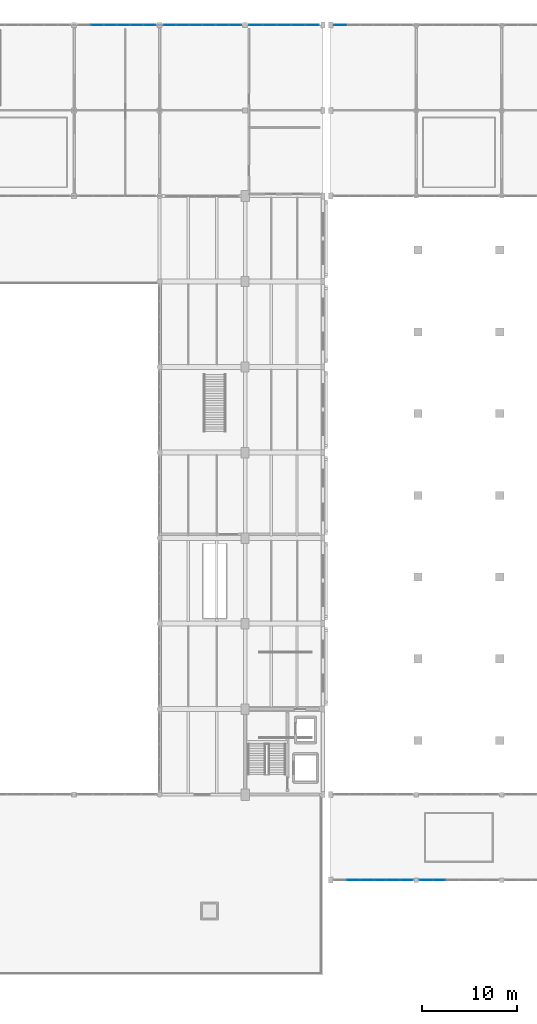
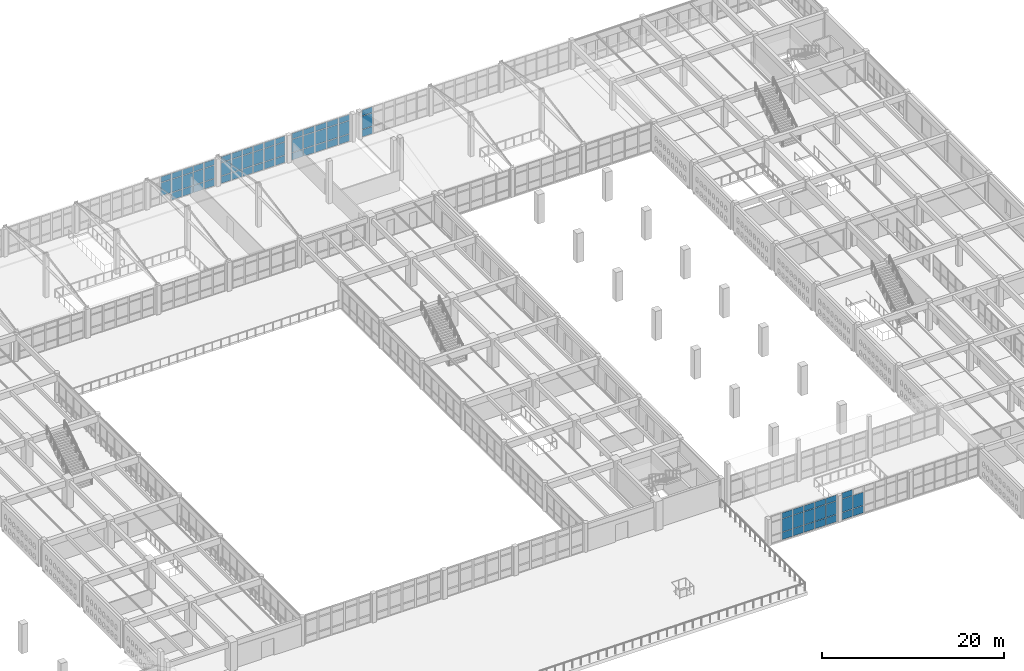
# One storey, part 118 of 156: 70 plates, 6 elements without a shape of their own.
"""IFC4 building model written with IfcOpenShell, lengths in metres."""

import ifcopenshell
import ifcopenshell.guid

model = None  # the IFC model being written
_history = None  # IfcOwnerHistory: only IFC2X3 demands one
_inside = {}  # id of a spatial element -> (the spatial element, [elements in it])
_under = {}  # id of a project, library or spatial element -> (it, [spatial elements below it])
_declared = {}  # id of a project -> (the project, [libraries it declares])
_typed = {}  # id of a type object -> (the type object, [elements of that type])
_made_of = {}  # id of a material, layer set ... -> (it, [elements and type objects made of it])


def new_model(schema):
    """Start an empty IFC model of exactly this schema.

    Asked for "IFC4X3", IfcOpenShell would pick the latest addendum, in which some entities
    have other attributes; the version numbers below select the first issue.
    IFC2X3 requires an IfcOwnerHistory on every rooted entity: one is made here for all.
    """
    global model, _history
    if schema == "IFC4X3":
        model = ifcopenshell.file(schema_version=(4, 3, 0, 0))
    else:
        model = ifcopenshell.file(schema=schema)
    _inside.clear()
    _under.clear()
    _declared.clear()
    _typed.clear()
    _made_of.clear()
    _history = None
    if model.schema == "IFC2X3":
        org = make("IfcOrganization", Name="unknown")
        user = make(
            "IfcPersonAndOrganization",
            ThePerson=make("IfcPerson", FamilyName="unknown"),
            TheOrganization=org,
        )
        app = make(
            "IfcApplication",
            ApplicationDeveloper=org,
            Version="unknown",
            ApplicationFullName="unknown",
            ApplicationIdentifier="unknown",
        )
        _history = make(
            "IfcOwnerHistory",
            OwningUser=user,
            OwningApplication=app,
            ChangeAction="ADDED",
            CreationDate=0,
        )
    return model


def make(cls, **values):
    """One entity of the class cls with the attributes given. An attribute that is None is left unset."""
    return model.create_entity(
        cls, **{name: value for name, value in values.items() if value is not None}
    )


def rooted(cls, **values):
    """An entity with a GlobalId (a new one), such as an element, a storey or a relation."""
    return make(cls, GlobalId=ifcopenshell.guid.new(), OwnerHistory=_history, **values)


def si_unit(unit_type, name, prefix=None):
    """IfcSIUnit, for example si_unit("LENGTHUNIT", "METRE", prefix="MILLI")."""
    return make("IfcSIUnit", UnitType=unit_type, Prefix=prefix, Name=name)


def assignment(units):
    """IfcUnitAssignment: the units of a project."""
    return None if units is None else make("IfcUnitAssignment", Units=units)


def point(xyz):
    """IfcCartesianPoint."""
    return None if xyz is None else make("IfcCartesianPoint", Coordinates=xyz)


def direction(xyz):
    """IfcDirection."""
    return None if xyz is None else make("IfcDirection", DirectionRatios=xyz)


def frame(location, z_axis=None, x_axis=None):
    """IfcAxis2Placement3D, a coordinate frame: its origin and axes. An axis left out is left unset."""
    return make(
        "IfcAxis2Placement3D",
        Location=point(location),
        Axis=direction(z_axis),
        RefDirection=direction(x_axis),
    )


def frame_2d(location, x_axis=None):
    """IfcAxis2Placement2D, a coordinate frame in the plane: its origin and x axis."""
    return make(
        "IfcAxis2Placement2D", Location=point(location), RefDirection=direction(x_axis)
    )


def origin():
    """The frame at (0, 0, 0) with its axes left unset."""
    return frame((0.0, 0.0, 0.0))


def origin_2d():
    """The frame at (0, 0) in the plane with its x axis left unset."""
    return frame_2d((0.0, 0.0))


def place(relative_to, where):
    """IfcLocalPlacement: puts the frame where relative to a parent placement (None: the world)."""
    return make(
        "IfcLocalPlacement", PlacementRelTo=relative_to, RelativePlacement=where
    )


def context(
    kind, dimensions, precision=None, world=None, true_north=None, identifier=None
):
    """IfcGeometricRepresentationContext, for example the 3D "Model" context."""
    return make(
        "IfcGeometricRepresentationContext",
        ContextIdentifier=identifier,
        ContextType=kind,
        CoordinateSpaceDimension=dimensions,
        Precision=precision,
        WorldCoordinateSystem=world,
        TrueNorth=true_north,
    )


def subcontext(parent, identifier, kind, view, scale=None):
    """IfcGeometricRepresentationSubContext, for example "Body" below "Model"."""
    return make(
        "IfcGeometricRepresentationSubContext",
        ContextIdentifier=identifier,
        ContextType=kind,
        ParentContext=parent,
        TargetScale=scale,
        TargetView=view,
    )


def project(units=None, contexts=None):
    """IfcProject with its units and contexts."""
    return rooted(
        "IfcProject",
        Name="project",
        RepresentationContexts=contexts,
        UnitsInContext=assignment(units),
    )


def spatial(cls, under=None, at=None, **own):
    """A site, building, storey or space (cls), placed at a placement, below another one or the project."""
    s = rooted(cls, ObjectPlacement=at, **own)
    if under is not None:
        _under.setdefault(under.id(), (under, []))[1].append(s)
    return s


def profile(cls, at=None, kind="AREA", **sizes):
    """A parametric profile (cls). Its sizes go by their IFC names, for example OverallWidth=200.0."""
    return make(cls, ProfileType=kind, Position=at, **sizes)


def rectangle(**sizes):
    """IfcRectangleProfileDef."""
    return profile("IfcRectangleProfileDef", **sizes)


def extrude(swept, where, along, depth):
    """IfcExtrudedAreaSolid: the profile swept, set in the frame where, extruded along a direction by depth."""
    return make(
        "IfcExtrudedAreaSolid",
        SweptArea=swept,
        Position=where,
        ExtrudedDirection=direction(along),
        Depth=depth,
    )


def shape(context_of_items, identifier, shape_type, items):
    """IfcShapeRepresentation: the items that make up one representation, for example the "Body"."""
    return make(
        "IfcShapeRepresentation",
        ContextOfItems=context_of_items,
        RepresentationIdentifier=identifier,
        RepresentationType=shape_type,
        Items=items,
    )


def material(Name=None, Category=None):
    """IfcMaterial."""
    return make("IfcMaterial", Name=Name, Category=Category)


def layer(
    of_material, thickness, ventilated=None, Name=None, Category=None, Priority=None
):
    """IfcMaterialLayer: one layer of a wall or slab, of a material (None: an air gap)."""
    return make(
        "IfcMaterialLayer",
        Material=of_material,
        LayerThickness=thickness,
        IsVentilated=ventilated,
        Name=Name,
        Category=Category,
        Priority=Priority,
    )


def layer_set(layers, Name=None):
    """IfcMaterialLayerSet."""
    return make("IfcMaterialLayerSet", MaterialLayers=layers, LayerSetName=Name)


def made_of(thing, what):
    """Note that an element or type object is made of a material, layer set ...; save() writes the relation."""
    if what is not None:
        _made_of.setdefault(what.id(), (what, []))[1].append(thing)
    return thing


def type_object(cls, material=None, **own):
    """A type object (cls), such as IfcWallType, which elements share."""
    return made_of(rooted(cls, **own), material)


def element(
    cls,
    number,
    at=None,
    inside=None,
    cuts=None,
    type_object=None,
    material=None,
    context=None,
    identifier="Body",
    shape_type=None,
    held_by="IfcProductDefinitionShape",
    body=None,
    shapes=None,
    **own,
):
    """One element of the class cls, such as IfcWall. Its Tag is "e" and its number.

    at: its placement. inside: the storey or other place that contains it. cuts: it is an
    opening in that element (IfcRelVoidsElement). A single representation is given by context,
    identifier, shape_type and body (its items); several are given by shapes. held_by: the class
    of the entity that holds the representations. save() writes the other relations.
    """
    e = rooted(cls, Tag="e%d" % number, ObjectPlacement=at, **own)
    if body is not None:
        shapes = [shape(context, identifier, shape_type, body)]
    if shapes is not None:
        e.Representation = make(held_by, Representations=shapes)
    if inside is not None:
        _inside.setdefault(inside.id(), (inside, []))[1].append(e)
    if cuts is not None:
        rooted(
            "IfcRelVoidsElement", RelatingBuildingElement=cuts, RelatedOpeningElement=e
        )
    if type_object is not None:
        _typed.setdefault(type_object.id(), (type_object, []))[1].append(e)
    return made_of(e, material)


def aggregate(whole, parts):
    """IfcRelAggregates: a whole, such as a stair, and the parts it consists of."""
    return rooted("IfcRelAggregates", RelatingObject=whole, RelatedObjects=parts)


def save(model, path):
    """Write the relations noted so far, then the file.

    IfcRelAggregates (storeys below a building ...), IfcRelContainedInSpatialStructure (elements
    in a storey), IfcRelDefinesByType, IfcRelAssociatesMaterial and IfcRelDeclares: one each for
    every whole, place, type object, material and project.
    """
    for whole, parts in _under.values():
        aggregate(whole, parts)
    for where, things in _inside.values():
        rooted(
            "IfcRelContainedInSpatialStructure",
            RelatedElements=things,
            RelatingStructure=where,
        )
    for kind, things in _typed.values():
        rooted("IfcRelDefinesByType", RelatedObjects=things, RelatingType=kind)
    for what, things in _made_of.values():
        rooted("IfcRelAssociatesMaterial", RelatedObjects=things, RelatingMaterial=what)
    for by, libraries in _declared.values():
        rooted("IfcRelDeclares", RelatingContext=by, RelatedDefinitions=libraries)
    model.write(path)


model = new_model("IFC4")

# Units and contexts
model_context = context("Model", 3, precision=1e-05, world=origin(), true_north=direction((0.0, 1.0)))
body_context = subcontext(model_context, "Body", "Model", "MODEL_VIEW")
ifc_project = project(units=[si_unit("LENGTHUNIT", "METRE"), si_unit("AREAUNIT", "SQUARE_METRE"), si_unit("VOLUMEUNIT", "CUBIC_METRE"), si_unit("PLANEANGLEUNIT", "RADIAN"), si_unit("MASSUNIT", "GRAM", prefix="KILO")], contexts=[model_context])

# Site, building, storey
site_placement = place(None, origin())
site = spatial("IfcSite", under=ifc_project, at=site_placement, CompositionType="ELEMENT")
building_placement = place(site_placement, origin())
building = spatial("IfcBuilding", under=site, at=building_placement, Name="Ornek Quay Market", CompositionType="ELEMENT")
storey_placement = place(building_placement, frame((0.0, 0.0, 4.5)))
storey = spatial("IfcBuildingStorey", under=building, at=storey_placement, Name="L01", CompositionType="ELEMENT", Elevation=4.5)

# Curtain wall, plates
ifc_material_1 = material(Name="Anodised bronze aluminium and triple low-e glass", Category="aluminium")
ifc_layer_1 = layer(ifc_material_1, 0.179931640625, Name="Anodised bronze aluminium and triple low-e glass", Category="aluminium")
ifc_layer_set_1 = layer_set([ifc_layer_1], Name="Anodised bronze aluminium and triple low-e glass")
curtain_wall_type_1 = type_object("IfcCurtainWallType", Name="CW-CONC-MOD1500", PredefinedType="USERDEFINED", material=ifc_layer_set_1)
curtain_wall_1_placement = place(storey_placement, origin())
curtain_wall_1 = element("IfcCurtainWall", 1, at=curtain_wall_1_placement, inside=storey, type_object=curtain_wall_type_1, Name="Curtain wall CW-033", ObjectType="CURTAIN WALL", PredefinedType="USERDEFINED")
ifc_material_2 = material(Name="Triple insulated low-e glass", Category="glass")
ifc_layer_2 = layer(ifc_material_2, 0.035888671875, Name="Triple insulated low-e glass", Category="glass")
ifc_layer_set_2 = layer_set([ifc_layer_2], Name="Triple insulated low-e glass")
plate_type_1 = type_object("IfcPlateType", Name="PL-CW-TRIPLE-36", PredefinedType="CURTAIN_PANEL", material=ifc_layer_set_2)
plate_1_placement = place(storey_placement, frame((127.014892578125, 110.0, 0.06005859375), z_axis=(0.0, 0.0, 1.0), x_axis=(1.0, 0.0, 0.0)))
plate_1 = element("IfcPlate", 2, at=plate_1_placement, type_object=plate_type_1, Name="CW-033 panel 1.1", PredefinedType="CURTAIN_PANEL", context=body_context, shape_type="SweptSolid", body=[
    extrude(rectangle(XDim=1.31005859375, YDim=0.035888671875, at=origin_2d()), origin(), (0.0, 0.0, 1.0), 0.9599609375),
])
plate_2_placement = place(storey_placement, frame((127.014892578125, 110.0, 1.080078125), z_axis=(0.0, 0.0, 1.0), x_axis=(1.0, 0.0, 0.0)))
plate_2 = element("IfcPlate", 3, at=plate_2_placement, type_object=plate_type_1, Name="CW-033 panel 1.2", PredefinedType="CURTAIN_PANEL", context=body_context, shape_type="SweptSolid", body=[
    extrude(rectangle(XDim=1.31005859375, YDim=0.035888671875, at=origin_2d()), origin(), (0.0, 0.0, 1.0), 1.75),
])
plate_3_placement = place(storey_placement, frame((127.014892578125, 110.0, 2.89013671875), z_axis=(0.0, 0.0, 1.0), x_axis=(1.0, 0.0, 0.0)))
plate_3 = element("IfcPlate", 4, at=plate_3_placement, type_object=plate_type_1, Name="CW-033 panel 1.3", PredefinedType="CURTAIN_PANEL", context=body_context, shape_type="SweptSolid", body=[
    extrude(rectangle(XDim=1.31005859375, YDim=0.035888671875, at=origin_2d()), origin(), (0.0, 0.0, 1.0), 0.760009765625),
])
aggregate(curtain_wall_1, [plate_1, plate_2, plate_3])

curtain_wall_2_placement = place(storey_placement, origin())
curtain_wall_2 = element("IfcCurtainWall", 5, at=curtain_wall_2_placement, inside=storey, type_object=curtain_wall_type_1, Name="Curtain wall CW-036", ObjectType="CURTAIN WALL", PredefinedType="USERDEFINED")
plate_4_placement = place(storey_placement, frame((128.39990234375, 20.0, 0.06005859375), z_axis=(0.0, 0.0, 1.0), x_axis=(1.0, 0.0, 0.0)))
plate_4 = element("IfcPlate", 6, at=plate_4_placement, type_object=plate_type_1, Name="CW-036 panel 2.1", PredefinedType="CURTAIN_PANEL", context=body_context, shape_type="SweptSolid", body=[
    extrude(rectangle(XDim=1.340087890625, YDim=0.035888671875, at=origin_2d()), origin(), (0.0, 0.0, 1.0), 0.9599609375),
])
plate_5_placement = place(storey_placement, frame((128.39990234375, 20.0, 1.080078125), z_axis=(0.0, 0.0, 1.0), x_axis=(1.0, 0.0, 0.0)))
plate_5 = element("IfcPlate", 7, at=plate_5_placement, type_object=plate_type_1, Name="CW-036 panel 2.2", PredefinedType="CURTAIN_PANEL", context=body_context, shape_type="SweptSolid", body=[
    extrude(rectangle(XDim=1.340087890625, YDim=0.035888671875, at=origin_2d()), origin(), (0.0, 0.0, 1.0), 1.75),
])
plate_6_placement = place(storey_placement, frame((128.39990234375, 20.0, 2.89013671875), z_axis=(0.0, 0.0, 1.0), x_axis=(1.0, 0.0, 0.0)))
plate_6 = element("IfcPlate", 8, at=plate_6_placement, type_object=plate_type_1, Name="CW-036 panel 2.3", PredefinedType="CURTAIN_PANEL", context=body_context, shape_type="SweptSolid", body=[
    extrude(rectangle(XDim=1.340087890625, YDim=0.035888671875, at=origin_2d()), origin(), (0.0, 0.0, 1.0), 0.760009765625),
])
plate_7_placement = place(storey_placement, frame((129.800048828125, 20.0, 0.06005859375), z_axis=(0.0, 0.0, 1.0), x_axis=(1.0, 0.0, 0.0)))
plate_7 = element("IfcPlate", 9, at=plate_7_placement, type_object=plate_type_1, Name="CW-036 panel 3.1", PredefinedType="CURTAIN_PANEL", context=body_context, shape_type="SweptSolid", body=[
    extrude(rectangle(XDim=1.340087890625, YDim=0.035888671875, at=origin_2d()), origin(), (0.0, 0.0, 1.0), 0.9599609375),
])
plate_8_placement = place(storey_placement, frame((129.800048828125, 20.0, 1.080078125), z_axis=(0.0, 0.0, 1.0), x_axis=(1.0, 0.0, 0.0)))
plate_8 = element("IfcPlate", 10, at=plate_8_placement, type_object=plate_type_1, Name="CW-036 panel 3.2", PredefinedType="CURTAIN_PANEL", context=body_context, shape_type="SweptSolid", body=[
    extrude(rectangle(XDim=1.340087890625, YDim=0.035888671875, at=origin_2d()), origin(), (0.0, 0.0, 1.0), 1.75),
])
plate_9_placement = place(storey_placement, frame((129.800048828125, 20.0, 2.89013671875), z_axis=(0.0, 0.0, 1.0), x_axis=(1.0, 0.0, 0.0)))
plate_9 = element("IfcPlate", 11, at=plate_9_placement, type_object=plate_type_1, Name="CW-036 panel 3.3", PredefinedType="CURTAIN_PANEL", context=body_context, shape_type="SweptSolid", body=[
    extrude(rectangle(XDim=1.340087890625, YDim=0.035888671875, at=origin_2d()), origin(), (0.0, 0.0, 1.0), 0.760009765625),
])
plate_10_placement = place(storey_placement, frame((131.199951171875, 20.0, 0.06005859375), z_axis=(0.0, 0.0, 1.0), x_axis=(1.0, 0.0, 0.0)))
plate_10 = element("IfcPlate", 12, at=plate_10_placement, type_object=plate_type_1, Name="CW-036 panel 4.1", PredefinedType="CURTAIN_PANEL", context=body_context, shape_type="SweptSolid", body=[
    extrude(rectangle(XDim=1.340087890625, YDim=0.035888671875, at=origin_2d()), origin(), (0.0, 0.0, 1.0), 0.9599609375),
])
plate_11_placement = place(storey_placement, frame((131.199951171875, 20.0, 1.080078125), z_axis=(0.0, 0.0, 1.0), x_axis=(1.0, 0.0, 0.0)))
plate_11 = element("IfcPlate", 13, at=plate_11_placement, type_object=plate_type_1, Name="CW-036 panel 4.2", PredefinedType="CURTAIN_PANEL", context=body_context, shape_type="SweptSolid", body=[
    extrude(rectangle(XDim=1.340087890625, YDim=0.035888671875, at=origin_2d()), origin(), (0.0, 0.0, 1.0), 1.75),
])
plate_12_placement = place(storey_placement, frame((131.199951171875, 20.0, 2.89013671875), z_axis=(0.0, 0.0, 1.0), x_axis=(1.0, 0.0, 0.0)))
plate_12 = element("IfcPlate", 14, at=plate_12_placement, type_object=plate_type_1, Name="CW-036 panel 4.3", PredefinedType="CURTAIN_PANEL", context=body_context, shape_type="SweptSolid", body=[
    extrude(rectangle(XDim=1.340087890625, YDim=0.035888671875, at=origin_2d()), origin(), (0.0, 0.0, 1.0), 0.760009765625),
])
plate_13_placement = place(storey_placement, frame((132.60009765625, 20.0, 0.06005859375), z_axis=(0.0, 0.0, 1.0), x_axis=(1.0, 0.0, 0.0)))
plate_13 = element("IfcPlate", 15, at=plate_13_placement, type_object=plate_type_1, Name="CW-036 panel 5.1", PredefinedType="CURTAIN_PANEL", context=body_context, shape_type="SweptSolid", body=[
    extrude(rectangle(XDim=1.340087890625, YDim=0.035888671875, at=origin_2d()), origin(), (0.0, 0.0, 1.0), 0.9599609375),
])
plate_14_placement = place(storey_placement, frame((132.60009765625, 20.0, 1.080078125), z_axis=(0.0, 0.0, 1.0), x_axis=(1.0, 0.0, 0.0)))
plate_14 = element("IfcPlate", 16, at=plate_14_placement, type_object=plate_type_1, Name="CW-036 panel 5.2", PredefinedType="CURTAIN_PANEL", context=body_context, shape_type="SweptSolid", body=[
    extrude(rectangle(XDim=1.340087890625, YDim=0.035888671875, at=origin_2d()), origin(), (0.0, 0.0, 1.0), 1.75),
])
plate_15_placement = place(storey_placement, frame((132.60009765625, 20.0, 2.89013671875), z_axis=(0.0, 0.0, 1.0), x_axis=(1.0, 0.0, 0.0)))
plate_15 = element("IfcPlate", 17, at=plate_15_placement, type_object=plate_type_1, Name="CW-036 panel 5.3", PredefinedType="CURTAIN_PANEL", context=body_context, shape_type="SweptSolid", body=[
    extrude(rectangle(XDim=1.340087890625, YDim=0.035888671875, at=origin_2d()), origin(), (0.0, 0.0, 1.0), 0.760009765625),
])
plate_16_placement = place(storey_placement, frame((133.985107421875, 20.0, 0.06005859375), z_axis=(0.0, 0.0, 1.0), x_axis=(1.0, 0.0, 0.0)))
plate_16 = element("IfcPlate", 18, at=plate_16_placement, type_object=plate_type_1, Name="CW-036 panel 6.1", PredefinedType="CURTAIN_PANEL", context=body_context, shape_type="SweptSolid", body=[
    extrude(rectangle(XDim=1.31005859375, YDim=0.035888671875, at=origin_2d()), origin(), (0.0, 0.0, 1.0), 0.9599609375),
])
plate_17_placement = place(storey_placement, frame((133.985107421875, 20.0, 1.080078125), z_axis=(0.0, 0.0, 1.0), x_axis=(1.0, 0.0, 0.0)))
plate_17 = element("IfcPlate", 19, at=plate_17_placement, type_object=plate_type_1, Name="CW-036 panel 6.2", PredefinedType="CURTAIN_PANEL", context=body_context, shape_type="SweptSolid", body=[
    extrude(rectangle(XDim=1.31005859375, YDim=0.035888671875, at=origin_2d()), origin(), (0.0, 0.0, 1.0), 1.75),
])
plate_18_placement = place(storey_placement, frame((133.985107421875, 20.0, 2.89013671875), z_axis=(0.0, 0.0, 1.0), x_axis=(1.0, 0.0, 0.0)))
plate_18 = element("IfcPlate", 20, at=plate_18_placement, type_object=plate_type_1, Name="CW-036 panel 6.3", PredefinedType="CURTAIN_PANEL", context=body_context, shape_type="SweptSolid", body=[
    extrude(rectangle(XDim=1.31005859375, YDim=0.035888671875, at=origin_2d()), origin(), (0.0, 0.0, 1.0), 0.760009765625),
])
aggregate(curtain_wall_2, [plate_4, plate_5, plate_6, plate_7, plate_8, plate_9, plate_10, plate_11, plate_12, plate_13, plate_14, plate_15, plate_16, plate_17, plate_18])

curtain_wall_3_placement = place(storey_placement, origin())
curtain_wall_3 = element("IfcCurtainWall", 21, at=curtain_wall_3_placement, inside=storey, type_object=curtain_wall_type_1, Name="Curtain wall CW-040", ObjectType="CURTAIN WALL", PredefinedType="USERDEFINED")
plate_19_placement = place(storey_placement, frame((136.014892578125, 20.0, 0.06005859375), z_axis=(0.0, 0.0, 1.0), x_axis=(1.0, 0.0, 0.0)))
plate_19 = element("IfcPlate", 22, at=plate_19_placement, type_object=plate_type_1, Name="CW-040 panel 1.1", PredefinedType="CURTAIN_PANEL", context=body_context, shape_type="SweptSolid", body=[
    extrude(rectangle(XDim=1.31005859375, YDim=0.035888671875, at=origin_2d()), origin(), (0.0, 0.0, 1.0), 0.9599609375),
])
plate_20_placement = place(storey_placement, frame((136.014892578125, 20.0, 1.080078125), z_axis=(0.0, 0.0, 1.0), x_axis=(1.0, 0.0, 0.0)))
plate_20 = element("IfcPlate", 23, at=plate_20_placement, type_object=plate_type_1, Name="CW-040 panel 1.2", PredefinedType="CURTAIN_PANEL", context=body_context, shape_type="SweptSolid", body=[
    extrude(rectangle(XDim=1.31005859375, YDim=0.035888671875, at=origin_2d()), origin(), (0.0, 0.0, 1.0), 1.75),
])
plate_21_placement = place(storey_placement, frame((136.014892578125, 20.0, 2.89013671875), z_axis=(0.0, 0.0, 1.0), x_axis=(1.0, 0.0, 0.0)))
plate_21 = element("IfcPlate", 24, at=plate_21_placement, type_object=plate_type_1, Name="CW-040 panel 1.3", PredefinedType="CURTAIN_PANEL", context=body_context, shape_type="SweptSolid", body=[
    extrude(rectangle(XDim=1.31005859375, YDim=0.035888671875, at=origin_2d()), origin(), (0.0, 0.0, 1.0), 0.760009765625),
])
plate_22_placement = place(storey_placement, frame((137.39990234375, 20.0, 0.06005859375), z_axis=(0.0, 0.0, 1.0), x_axis=(1.0, 0.0, 0.0)))
plate_22 = element("IfcPlate", 25, at=plate_22_placement, type_object=plate_type_1, Name="CW-040 panel 2.1", PredefinedType="CURTAIN_PANEL", context=body_context, shape_type="SweptSolid", body=[
    extrude(rectangle(XDim=1.340087890625, YDim=0.035888671875, at=origin_2d()), origin(), (0.0, 0.0, 1.0), 0.9599609375),
])
plate_23_placement = place(storey_placement, frame((137.39990234375, 20.0, 1.080078125), z_axis=(0.0, 0.0, 1.0), x_axis=(1.0, 0.0, 0.0)))
plate_23 = element("IfcPlate", 26, at=plate_23_placement, type_object=plate_type_1, Name="CW-040 panel 2.2", PredefinedType="CURTAIN_PANEL", context=body_context, shape_type="SweptSolid", body=[
    extrude(rectangle(XDim=1.340087890625, YDim=0.035888671875, at=origin_2d()), origin(), (0.0, 0.0, 1.0), 1.75),
])
aggregate(curtain_wall_3, [plate_19, plate_20, plate_21, plate_22, plate_23])

ifc_layer_3 = layer(ifc_material_1, 0.219970703125, Name="Anodised bronze aluminium and triple low-e glass", Category="aluminium")
ifc_layer_set_3 = layer_set([ifc_layer_3], Name="Anodised bronze aluminium and triple low-e glass")
curtain_wall_type_2 = type_object("IfcCurtainWallType", Name="CW-PORCH-MOD1500", PredefinedType="USERDEFINED", material=ifc_layer_set_3)
curtain_wall_4_placement = place(storey_placement, origin())
curtain_wall_4 = element("IfcCurtainWall", 27, at=curtain_wall_4_placement, inside=storey, type_object=curtain_wall_type_2, Name="Curtain wall CW-054", ObjectType="CURTAIN WALL", PredefinedType="USERDEFINED")
ifc_layer_4 = layer(ifc_material_2, 0.0419921875, Name="Triple insulated low-e glass", Category="glass")
ifc_layer_set_4 = layer_set([ifc_layer_4], Name="Triple insulated low-e glass")
plate_type_2 = type_object("IfcPlateType", Name="PL-CW-TRIPLE-42", PredefinedType="CURTAIN_PANEL", material=ifc_layer_set_4)
plate_24_placement = place(storey_placement, frame((101.425048828125, 110.0, 1.0849609375), z_axis=(0.0, 0.0, 1.0), x_axis=(1.0, 0.0, 0.0)))
plate_24 = element("IfcPlate", 28, at=plate_24_placement, type_object=plate_type_2, Name="CW-054 panel 2.2", PredefinedType="CURTAIN_PANEL", context=body_context, shape_type="SweptSolid", body=[
    extrude(rectangle(XDim=1.308349609375, YDim=0.0419921875, at=origin_2d()), origin(), (0.0, 0.0, 1.0), 1.739990234375),
])
plate_25_placement = place(storey_placement, frame((101.425048828125, 110.0, 2.89501953125), z_axis=(0.0, 0.0, 1.0), x_axis=(1.0, 0.0, 0.0)))
plate_25 = element("IfcPlate", 29, at=plate_25_placement, type_object=plate_type_2, Name="CW-054 panel 2.3", PredefinedType="CURTAIN_PANEL", context=body_context, shape_type="SweptSolid", body=[
    extrude(rectangle(XDim=1.308349609375, YDim=0.0419921875, at=origin_2d()), origin(), (0.0, 0.0, 1.0), 0.7451171875),
])
plate_26_placement = place(storey_placement, frame((102.808349609375, 110.0, 0.06982421875), z_axis=(0.0, 0.0, 1.0), x_axis=(1.0, 0.0, 0.0)))
plate_26 = element("IfcPlate", 30, at=plate_26_placement, type_object=plate_type_2, Name="CW-054 panel 3.1", PredefinedType="CURTAIN_PANEL", context=body_context, shape_type="SweptSolid", body=[
    extrude(rectangle(XDim=1.308349609375, YDim=0.0419921875, at=origin_2d()), origin(), (0.0, 0.0, 1.0), 0.945068359375),
])
plate_27_placement = place(storey_placement, frame((102.808349609375, 110.0, 1.0849609375), z_axis=(0.0, 0.0, 1.0), x_axis=(1.0, 0.0, 0.0)))
plate_27 = element("IfcPlate", 31, at=plate_27_placement, type_object=plate_type_2, Name="CW-054 panel 3.2", PredefinedType="CURTAIN_PANEL", context=body_context, shape_type="SweptSolid", body=[
    extrude(rectangle(XDim=1.308349609375, YDim=0.0419921875, at=origin_2d()), origin(), (0.0, 0.0, 1.0), 1.739990234375),
])
plate_28_placement = place(storey_placement, frame((102.808349609375, 110.0, 2.89501953125), z_axis=(0.0, 0.0, 1.0), x_axis=(1.0, 0.0, 0.0)))
plate_28 = element("IfcPlate", 32, at=plate_28_placement, type_object=plate_type_2, Name="CW-054 panel 3.3", PredefinedType="CURTAIN_PANEL", context=body_context, shape_type="SweptSolid", body=[
    extrude(rectangle(XDim=1.308349609375, YDim=0.0419921875, at=origin_2d()), origin(), (0.0, 0.0, 1.0), 0.7451171875),
])
plate_29_placement = place(storey_placement, frame((104.191650390625, 110.0, 0.06982421875), z_axis=(0.0, 0.0, 1.0), x_axis=(1.0, 0.0, 0.0)))
plate_29 = element("IfcPlate", 33, at=plate_29_placement, type_object=plate_type_2, Name="CW-054 panel 4.1", PredefinedType="CURTAIN_PANEL", context=body_context, shape_type="SweptSolid", body=[
    extrude(rectangle(XDim=1.308349609375, YDim=0.0419921875, at=origin_2d()), origin(), (0.0, 0.0, 1.0), 0.945068359375),
])
plate_30_placement = place(storey_placement, frame((104.191650390625, 110.0, 1.0849609375), z_axis=(0.0, 0.0, 1.0), x_axis=(1.0, 0.0, 0.0)))
plate_30 = element("IfcPlate", 34, at=plate_30_placement, type_object=plate_type_2, Name="CW-054 panel 4.2", PredefinedType="CURTAIN_PANEL", context=body_context, shape_type="SweptSolid", body=[
    extrude(rectangle(XDim=1.308349609375, YDim=0.0419921875, at=origin_2d()), origin(), (0.0, 0.0, 1.0), 1.739990234375),
])
plate_31_placement = place(storey_placement, frame((104.191650390625, 110.0, 2.89501953125), z_axis=(0.0, 0.0, 1.0), x_axis=(1.0, 0.0, 0.0)))
plate_31 = element("IfcPlate", 35, at=plate_31_placement, type_object=plate_type_2, Name="CW-054 panel 4.3", PredefinedType="CURTAIN_PANEL", context=body_context, shape_type="SweptSolid", body=[
    extrude(rectangle(XDim=1.308349609375, YDim=0.0419921875, at=origin_2d()), origin(), (0.0, 0.0, 1.0), 0.7451171875),
])
plate_32_placement = place(storey_placement, frame((105.574951171875, 110.0, 0.06982421875), z_axis=(0.0, 0.0, 1.0), x_axis=(1.0, 0.0, 0.0)))
plate_32 = element("IfcPlate", 36, at=plate_32_placement, type_object=plate_type_2, Name="CW-054 panel 5.1", PredefinedType="CURTAIN_PANEL", context=body_context, shape_type="SweptSolid", body=[
    extrude(rectangle(XDim=1.308349609375, YDim=0.0419921875, at=origin_2d()), origin(), (0.0, 0.0, 1.0), 0.945068359375),
])
plate_33_placement = place(storey_placement, frame((105.574951171875, 110.0, 1.0849609375), z_axis=(0.0, 0.0, 1.0), x_axis=(1.0, 0.0, 0.0)))
plate_33 = element("IfcPlate", 37, at=plate_33_placement, type_object=plate_type_2, Name="CW-054 panel 5.2", PredefinedType="CURTAIN_PANEL", context=body_context, shape_type="SweptSolid", body=[
    extrude(rectangle(XDim=1.308349609375, YDim=0.0419921875, at=origin_2d()), origin(), (0.0, 0.0, 1.0), 1.739990234375),
])
plate_34_placement = place(storey_placement, frame((105.574951171875, 110.0, 2.89501953125), z_axis=(0.0, 0.0, 1.0), x_axis=(1.0, 0.0, 0.0)))
plate_34 = element("IfcPlate", 38, at=plate_34_placement, type_object=plate_type_2, Name="CW-054 panel 5.3", PredefinedType="CURTAIN_PANEL", context=body_context, shape_type="SweptSolid", body=[
    extrude(rectangle(XDim=1.308349609375, YDim=0.0419921875, at=origin_2d()), origin(), (0.0, 0.0, 1.0), 0.7451171875),
])
plate_35_placement = place(storey_placement, frame((106.939697265625, 110.0, 0.06982421875), z_axis=(0.0, 0.0, 1.0), x_axis=(1.0, 0.0, 0.0)))
plate_35 = element("IfcPlate", 39, at=plate_35_placement, type_object=plate_type_2, Name="CW-054 panel 6.1", PredefinedType="CURTAIN_PANEL", context=body_context, shape_type="SweptSolid", body=[
    extrude(rectangle(XDim=1.270751953125, YDim=0.0419921875, at=origin_2d()), origin(), (0.0, 0.0, 1.0), 0.945068359375),
])
plate_36_placement = place(storey_placement, frame((106.939697265625, 110.0, 1.0849609375), z_axis=(0.0, 0.0, 1.0), x_axis=(1.0, 0.0, 0.0)))
plate_36 = element("IfcPlate", 40, at=plate_36_placement, type_object=plate_type_2, Name="CW-054 panel 6.2", PredefinedType="CURTAIN_PANEL", context=body_context, shape_type="SweptSolid", body=[
    extrude(rectangle(XDim=1.270751953125, YDim=0.0419921875, at=origin_2d()), origin(), (0.0, 0.0, 1.0), 1.739990234375),
])
plate_37_placement = place(storey_placement, frame((106.939697265625, 110.0, 2.89501953125), z_axis=(0.0, 0.0, 1.0), x_axis=(1.0, 0.0, 0.0)))
plate_37 = element("IfcPlate", 41, at=plate_37_placement, type_object=plate_type_2, Name="CW-054 panel 6.3", PredefinedType="CURTAIN_PANEL", context=body_context, shape_type="SweptSolid", body=[
    extrude(rectangle(XDim=1.270751953125, YDim=0.0419921875, at=origin_2d()), origin(), (0.0, 0.0, 1.0), 0.7451171875),
])
aggregate(curtain_wall_4, [plate_24, plate_25, plate_26, plate_27, plate_28, plate_29, plate_30, plate_31, plate_32, plate_33, plate_34, plate_35, plate_36, plate_37])

curtain_wall_5_placement = place(storey_placement, origin())
curtain_wall_5 = element("IfcCurtainWall", 42, at=curtain_wall_5_placement, inside=storey, type_object=curtain_wall_type_2, Name="Curtain wall CW-055", ObjectType="CURTAIN WALL", PredefinedType="USERDEFINED")
plate_38_placement = place(storey_placement, frame((109.060302734375, 110.0, 0.06982421875), z_axis=(0.0, 0.0, 1.0), x_axis=(1.0, 0.0, 0.0)))
plate_38 = element("IfcPlate", 43, at=plate_38_placement, type_object=plate_type_2, Name="CW-055 panel 1.1", PredefinedType="CURTAIN_PANEL", context=body_context, shape_type="SweptSolid", body=[
    extrude(rectangle(XDim=1.270751953125, YDim=0.0419921875, at=origin_2d()), origin(), (0.0, 0.0, 1.0), 0.945068359375),
])
plate_39_placement = place(storey_placement, frame((109.060302734375, 110.0, 1.0849609375), z_axis=(0.0, 0.0, 1.0), x_axis=(1.0, 0.0, 0.0)))
plate_39 = element("IfcPlate", 44, at=plate_39_placement, type_object=plate_type_2, Name="CW-055 panel 1.2", PredefinedType="CURTAIN_PANEL", context=body_context, shape_type="SweptSolid", body=[
    extrude(rectangle(XDim=1.270751953125, YDim=0.0419921875, at=origin_2d()), origin(), (0.0, 0.0, 1.0), 1.739990234375),
])
plate_40_placement = place(storey_placement, frame((109.060302734375, 110.0, 2.89501953125), z_axis=(0.0, 0.0, 1.0), x_axis=(1.0, 0.0, 0.0)))
plate_40 = element("IfcPlate", 45, at=plate_40_placement, type_object=plate_type_2, Name="CW-055 panel 1.3", PredefinedType="CURTAIN_PANEL", context=body_context, shape_type="SweptSolid", body=[
    extrude(rectangle(XDim=1.270751953125, YDim=0.0419921875, at=origin_2d()), origin(), (0.0, 0.0, 1.0), 0.7451171875),
])
plate_41_placement = place(storey_placement, frame((110.425048828125, 110.0, 0.06982421875), z_axis=(0.0, 0.0, 1.0), x_axis=(1.0, 0.0, 0.0)))
plate_41 = element("IfcPlate", 46, at=plate_41_placement, type_object=plate_type_2, Name="CW-055 panel 2.1", PredefinedType="CURTAIN_PANEL", context=body_context, shape_type="SweptSolid", body=[
    extrude(rectangle(XDim=1.308349609375, YDim=0.0419921875, at=origin_2d()), origin(), (0.0, 0.0, 1.0), 0.945068359375),
])
plate_42_placement = place(storey_placement, frame((110.425048828125, 110.0, 1.0849609375), z_axis=(0.0, 0.0, 1.0), x_axis=(1.0, 0.0, 0.0)))
plate_42 = element("IfcPlate", 47, at=plate_42_placement, type_object=plate_type_2, Name="CW-055 panel 2.2", PredefinedType="CURTAIN_PANEL", context=body_context, shape_type="SweptSolid", body=[
    extrude(rectangle(XDim=1.308349609375, YDim=0.0419921875, at=origin_2d()), origin(), (0.0, 0.0, 1.0), 1.739990234375),
])
plate_43_placement = place(storey_placement, frame((110.425048828125, 110.0, 2.89501953125), z_axis=(0.0, 0.0, 1.0), x_axis=(1.0, 0.0, 0.0)))
plate_43 = element("IfcPlate", 48, at=plate_43_placement, type_object=plate_type_2, Name="CW-055 panel 2.3", PredefinedType="CURTAIN_PANEL", context=body_context, shape_type="SweptSolid", body=[
    extrude(rectangle(XDim=1.308349609375, YDim=0.0419921875, at=origin_2d()), origin(), (0.0, 0.0, 1.0), 0.7451171875),
])
plate_44_placement = place(storey_placement, frame((111.808349609375, 110.0, 0.06982421875), z_axis=(0.0, 0.0, 1.0), x_axis=(1.0, 0.0, 0.0)))
plate_44 = element("IfcPlate", 49, at=plate_44_placement, type_object=plate_type_2, Name="CW-055 panel 3.1", PredefinedType="CURTAIN_PANEL", context=body_context, shape_type="SweptSolid", body=[
    extrude(rectangle(XDim=1.308349609375, YDim=0.0419921875, at=origin_2d()), origin(), (0.0, 0.0, 1.0), 0.945068359375),
])
plate_45_placement = place(storey_placement, frame((111.808349609375, 110.0, 1.0849609375), z_axis=(0.0, 0.0, 1.0), x_axis=(1.0, 0.0, 0.0)))
plate_45 = element("IfcPlate", 50, at=plate_45_placement, type_object=plate_type_2, Name="CW-055 panel 3.2", PredefinedType="CURTAIN_PANEL", context=body_context, shape_type="SweptSolid", body=[
    extrude(rectangle(XDim=1.308349609375, YDim=0.0419921875, at=origin_2d()), origin(), (0.0, 0.0, 1.0), 1.739990234375),
])
plate_46_placement = place(storey_placement, frame((111.808349609375, 110.0, 2.89501953125), z_axis=(0.0, 0.0, 1.0), x_axis=(1.0, 0.0, 0.0)))
plate_46 = element("IfcPlate", 51, at=plate_46_placement, type_object=plate_type_2, Name="CW-055 panel 3.3", PredefinedType="CURTAIN_PANEL", context=body_context, shape_type="SweptSolid", body=[
    extrude(rectangle(XDim=1.308349609375, YDim=0.0419921875, at=origin_2d()), origin(), (0.0, 0.0, 1.0), 0.7451171875),
])
plate_47_placement = place(storey_placement, frame((113.191650390625, 110.0, 0.06982421875), z_axis=(0.0, 0.0, 1.0), x_axis=(1.0, 0.0, 0.0)))
plate_47 = element("IfcPlate", 52, at=plate_47_placement, type_object=plate_type_2, Name="CW-055 panel 4.1", PredefinedType="CURTAIN_PANEL", context=body_context, shape_type="SweptSolid", body=[
    extrude(rectangle(XDim=1.308349609375, YDim=0.0419921875, at=origin_2d()), origin(), (0.0, 0.0, 1.0), 0.945068359375),
])
plate_48_placement = place(storey_placement, frame((113.191650390625, 110.0, 1.0849609375), z_axis=(0.0, 0.0, 1.0), x_axis=(1.0, 0.0, 0.0)))
plate_48 = element("IfcPlate", 53, at=plate_48_placement, type_object=plate_type_2, Name="CW-055 panel 4.2", PredefinedType="CURTAIN_PANEL", context=body_context, shape_type="SweptSolid", body=[
    extrude(rectangle(XDim=1.308349609375, YDim=0.0419921875, at=origin_2d()), origin(), (0.0, 0.0, 1.0), 1.739990234375),
])
plate_49_placement = place(storey_placement, frame((113.191650390625, 110.0, 2.89501953125), z_axis=(0.0, 0.0, 1.0), x_axis=(1.0, 0.0, 0.0)))
plate_49 = element("IfcPlate", 54, at=plate_49_placement, type_object=plate_type_2, Name="CW-055 panel 4.3", PredefinedType="CURTAIN_PANEL", context=body_context, shape_type="SweptSolid", body=[
    extrude(rectangle(XDim=1.308349609375, YDim=0.0419921875, at=origin_2d()), origin(), (0.0, 0.0, 1.0), 0.7451171875),
])
plate_50_placement = place(storey_placement, frame((114.574951171875, 110.0, 0.06982421875), z_axis=(0.0, 0.0, 1.0), x_axis=(1.0, 0.0, 0.0)))
plate_50 = element("IfcPlate", 55, at=plate_50_placement, type_object=plate_type_2, Name="CW-055 panel 5.1", PredefinedType="CURTAIN_PANEL", context=body_context, shape_type="SweptSolid", body=[
    extrude(rectangle(XDim=1.308349609375, YDim=0.0419921875, at=origin_2d()), origin(), (0.0, 0.0, 1.0), 0.945068359375),
])
plate_51_placement = place(storey_placement, frame((114.574951171875, 110.0, 1.0849609375), z_axis=(0.0, 0.0, 1.0), x_axis=(1.0, 0.0, 0.0)))
plate_51 = element("IfcPlate", 56, at=plate_51_placement, type_object=plate_type_2, Name="CW-055 panel 5.2", PredefinedType="CURTAIN_PANEL", context=body_context, shape_type="SweptSolid", body=[
    extrude(rectangle(XDim=1.308349609375, YDim=0.0419921875, at=origin_2d()), origin(), (0.0, 0.0, 1.0), 1.739990234375),
])
plate_52_placement = place(storey_placement, frame((114.574951171875, 110.0, 2.89501953125), z_axis=(0.0, 0.0, 1.0), x_axis=(1.0, 0.0, 0.0)))
plate_52 = element("IfcPlate", 57, at=plate_52_placement, type_object=plate_type_2, Name="CW-055 panel 5.3", PredefinedType="CURTAIN_PANEL", context=body_context, shape_type="SweptSolid", body=[
    extrude(rectangle(XDim=1.308349609375, YDim=0.0419921875, at=origin_2d()), origin(), (0.0, 0.0, 1.0), 0.7451171875),
])
plate_53_placement = place(storey_placement, frame((115.939697265625, 110.0, 0.06982421875), z_axis=(0.0, 0.0, 1.0), x_axis=(1.0, 0.0, 0.0)))
plate_53 = element("IfcPlate", 58, at=plate_53_placement, type_object=plate_type_2, Name="CW-055 panel 6.1", PredefinedType="CURTAIN_PANEL", context=body_context, shape_type="SweptSolid", body=[
    extrude(rectangle(XDim=1.270751953125, YDim=0.0419921875, at=origin_2d()), origin(), (0.0, 0.0, 1.0), 0.945068359375),
])
plate_54_placement = place(storey_placement, frame((115.939697265625, 110.0, 1.0849609375), z_axis=(0.0, 0.0, 1.0), x_axis=(1.0, 0.0, 0.0)))
plate_54 = element("IfcPlate", 59, at=plate_54_placement, type_object=plate_type_2, Name="CW-055 panel 6.2", PredefinedType="CURTAIN_PANEL", context=body_context, shape_type="SweptSolid", body=[
    extrude(rectangle(XDim=1.270751953125, YDim=0.0419921875, at=origin_2d()), origin(), (0.0, 0.0, 1.0), 1.739990234375),
])
plate_55_placement = place(storey_placement, frame((115.939697265625, 110.0, 2.89501953125), z_axis=(0.0, 0.0, 1.0), x_axis=(1.0, 0.0, 0.0)))
plate_55 = element("IfcPlate", 60, at=plate_55_placement, type_object=plate_type_2, Name="CW-055 panel 6.3", PredefinedType="CURTAIN_PANEL", context=body_context, shape_type="SweptSolid", body=[
    extrude(rectangle(XDim=1.270751953125, YDim=0.0419921875, at=origin_2d()), origin(), (0.0, 0.0, 1.0), 0.7451171875),
])
aggregate(curtain_wall_5, [plate_38, plate_39, plate_40, plate_41, plate_42, plate_43, plate_44, plate_45, plate_46, plate_47, plate_48, plate_49, plate_50, plate_51, plate_52, plate_53, plate_54, plate_55])

curtain_wall_6_placement = place(storey_placement, origin())
curtain_wall_6 = element("IfcCurtainWall", 61, at=curtain_wall_6_placement, inside=storey, type_object=curtain_wall_type_2, Name="Curtain wall CW-056", ObjectType="CURTAIN WALL", PredefinedType="USERDEFINED")
plate_56_placement = place(storey_placement, frame((118.11865234375, 110.0, 0.06982421875), z_axis=(0.0, 0.0, 1.0), x_axis=(1.0, 0.0, 0.0)))
plate_56 = element("IfcPlate", 62, at=plate_56_placement, type_object=plate_type_2, Name="CW-056 panel 1.1", PredefinedType="CURTAIN_PANEL", context=body_context, shape_type="SweptSolid", body=[
    extrude(rectangle(XDim=1.387451171875, YDim=0.0419921875, at=origin_2d()), origin(), (0.0, 0.0, 1.0), 0.945068359375),
])
plate_57_placement = place(storey_placement, frame((118.11865234375, 110.0, 1.0849609375), z_axis=(0.0, 0.0, 1.0), x_axis=(1.0, 0.0, 0.0)))
plate_57 = element("IfcPlate", 63, at=plate_57_placement, type_object=plate_type_2, Name="CW-056 panel 1.2", PredefinedType="CURTAIN_PANEL", context=body_context, shape_type="SweptSolid", body=[
    extrude(rectangle(XDim=1.387451171875, YDim=0.0419921875, at=origin_2d()), origin(), (0.0, 0.0, 1.0), 1.739990234375),
])
plate_58_placement = place(storey_placement, frame((118.11865234375, 110.0, 2.89501953125), z_axis=(0.0, 0.0, 1.0), x_axis=(1.0, 0.0, 0.0)))
plate_58 = element("IfcPlate", 64, at=plate_58_placement, type_object=plate_type_2, Name="CW-056 panel 1.3", PredefinedType="CURTAIN_PANEL", context=body_context, shape_type="SweptSolid", body=[
    extrude(rectangle(XDim=1.387451171875, YDim=0.0419921875, at=origin_2d()), origin(), (0.0, 0.0, 1.0), 0.7451171875),
])
plate_59_placement = place(storey_placement, frame((119.60009765625, 110.0, 0.06982421875), z_axis=(0.0, 0.0, 1.0), x_axis=(1.0, 0.0, 0.0)))
plate_59 = element("IfcPlate", 65, at=plate_59_placement, type_object=plate_type_2, Name="CW-056 panel 2.1", PredefinedType="CURTAIN_PANEL", context=body_context, shape_type="SweptSolid", body=[
    extrude(rectangle(XDim=1.425048828125, YDim=0.0419921875, at=origin_2d()), origin(), (0.0, 0.0, 1.0), 0.945068359375),
])
plate_60_placement = place(storey_placement, frame((119.60009765625, 110.0, 1.0849609375), z_axis=(0.0, 0.0, 1.0), x_axis=(1.0, 0.0, 0.0)))
plate_60 = element("IfcPlate", 66, at=plate_60_placement, type_object=plate_type_2, Name="CW-056 panel 2.2", PredefinedType="CURTAIN_PANEL", context=body_context, shape_type="SweptSolid", body=[
    extrude(rectangle(XDim=1.425048828125, YDim=0.0419921875, at=origin_2d()), origin(), (0.0, 0.0, 1.0), 1.739990234375),
])
plate_61_placement = place(storey_placement, frame((119.60009765625, 110.0, 2.89501953125), z_axis=(0.0, 0.0, 1.0), x_axis=(1.0, 0.0, 0.0)))
plate_61 = element("IfcPlate", 67, at=plate_61_placement, type_object=plate_type_2, Name="CW-056 panel 2.3", PredefinedType="CURTAIN_PANEL", context=body_context, shape_type="SweptSolid", body=[
    extrude(rectangle(XDim=1.425048828125, YDim=0.0419921875, at=origin_2d()), origin(), (0.0, 0.0, 1.0), 0.7451171875),
])
plate_62_placement = place(storey_placement, frame((121.10009765625, 110.0, 0.06982421875), z_axis=(0.0, 0.0, 1.0), x_axis=(1.0, 0.0, 0.0)))
plate_62 = element("IfcPlate", 68, at=plate_62_placement, type_object=plate_type_2, Name="CW-056 panel 3.1", PredefinedType="CURTAIN_PANEL", context=body_context, shape_type="SweptSolid", body=[
    extrude(rectangle(XDim=1.425048828125, YDim=0.0419921875, at=origin_2d()), origin(), (0.0, 0.0, 1.0), 0.945068359375),
])
plate_63_placement = place(storey_placement, frame((121.10009765625, 110.0, 1.0849609375), z_axis=(0.0, 0.0, 1.0), x_axis=(1.0, 0.0, 0.0)))
plate_63 = element("IfcPlate", 69, at=plate_63_placement, type_object=plate_type_2, Name="CW-056 panel 3.2", PredefinedType="CURTAIN_PANEL", context=body_context, shape_type="SweptSolid", body=[
    extrude(rectangle(XDim=1.425048828125, YDim=0.0419921875, at=origin_2d()), origin(), (0.0, 0.0, 1.0), 1.739990234375),
])
plate_64_placement = place(storey_placement, frame((121.10009765625, 110.0, 2.89501953125), z_axis=(0.0, 0.0, 1.0), x_axis=(1.0, 0.0, 0.0)))
plate_64 = element("IfcPlate", 70, at=plate_64_placement, type_object=plate_type_2, Name="CW-056 panel 3.3", PredefinedType="CURTAIN_PANEL", context=body_context, shape_type="SweptSolid", body=[
    extrude(rectangle(XDim=1.425048828125, YDim=0.0419921875, at=origin_2d()), origin(), (0.0, 0.0, 1.0), 0.7451171875),
])
plate_65_placement = place(storey_placement, frame((122.60009765625, 110.0, 0.06982421875), z_axis=(0.0, 0.0, 1.0), x_axis=(1.0, 0.0, 0.0)))
plate_65 = element("IfcPlate", 71, at=plate_65_placement, type_object=plate_type_2, Name="CW-056 panel 4.1", PredefinedType="CURTAIN_PANEL", context=body_context, shape_type="SweptSolid", body=[
    extrude(rectangle(XDim=1.425048828125, YDim=0.0419921875, at=origin_2d()), origin(), (0.0, 0.0, 1.0), 0.945068359375),
])
plate_66_placement = place(storey_placement, frame((122.60009765625, 110.0, 1.0849609375), z_axis=(0.0, 0.0, 1.0), x_axis=(1.0, 0.0, 0.0)))
plate_66 = element("IfcPlate", 72, at=plate_66_placement, type_object=plate_type_2, Name="CW-056 panel 4.2", PredefinedType="CURTAIN_PANEL", context=body_context, shape_type="SweptSolid", body=[
    extrude(rectangle(XDim=1.425048828125, YDim=0.0419921875, at=origin_2d()), origin(), (0.0, 0.0, 1.0), 1.739990234375),
])
plate_67_placement = place(storey_placement, frame((122.60009765625, 110.0, 2.89501953125), z_axis=(0.0, 0.0, 1.0), x_axis=(1.0, 0.0, 0.0)))
plate_67 = element("IfcPlate", 73, at=plate_67_placement, type_object=plate_type_2, Name="CW-056 panel 4.3", PredefinedType="CURTAIN_PANEL", context=body_context, shape_type="SweptSolid", body=[
    extrude(rectangle(XDim=1.425048828125, YDim=0.0419921875, at=origin_2d()), origin(), (0.0, 0.0, 1.0), 0.7451171875),
])
plate_68_placement = place(storey_placement, frame((124.081298828125, 110.0, 0.06982421875), z_axis=(0.0, 0.0, 1.0), x_axis=(1.0, 0.0, 0.0)))
plate_68 = element("IfcPlate", 74, at=plate_68_placement, type_object=plate_type_2, Name="CW-056 panel 5.1", PredefinedType="CURTAIN_PANEL", context=body_context, shape_type="SweptSolid", body=[
    extrude(rectangle(XDim=1.387451171875, YDim=0.0419921875, at=origin_2d()), origin(), (0.0, 0.0, 1.0), 0.945068359375),
])
plate_69_placement = place(storey_placement, frame((124.081298828125, 110.0, 1.0849609375), z_axis=(0.0, 0.0, 1.0), x_axis=(1.0, 0.0, 0.0)))
plate_69 = element("IfcPlate", 75, at=plate_69_placement, type_object=plate_type_2, Name="CW-056 panel 5.2", PredefinedType="CURTAIN_PANEL", context=body_context, shape_type="SweptSolid", body=[
    extrude(rectangle(XDim=1.387451171875, YDim=0.0419921875, at=origin_2d()), origin(), (0.0, 0.0, 1.0), 1.739990234375),
])
plate_70_placement = place(storey_placement, frame((124.081298828125, 110.0, 2.89501953125), z_axis=(0.0, 0.0, 1.0), x_axis=(1.0, 0.0, 0.0)))
plate_70 = element("IfcPlate", 76, at=plate_70_placement, type_object=plate_type_2, Name="CW-056 panel 5.3", PredefinedType="CURTAIN_PANEL", context=body_context, shape_type="SweptSolid", body=[
    extrude(rectangle(XDim=1.387451171875, YDim=0.0419921875, at=origin_2d()), origin(), (0.0, 0.0, 1.0), 0.7451171875),
])
aggregate(curtain_wall_6, [plate_56, plate_57, plate_58, plate_59, plate_60, plate_61, plate_62, plate_63, plate_64, plate_65, plate_66, plate_67, plate_68, plate_69, plate_70])

save(model, "model.ifc")
